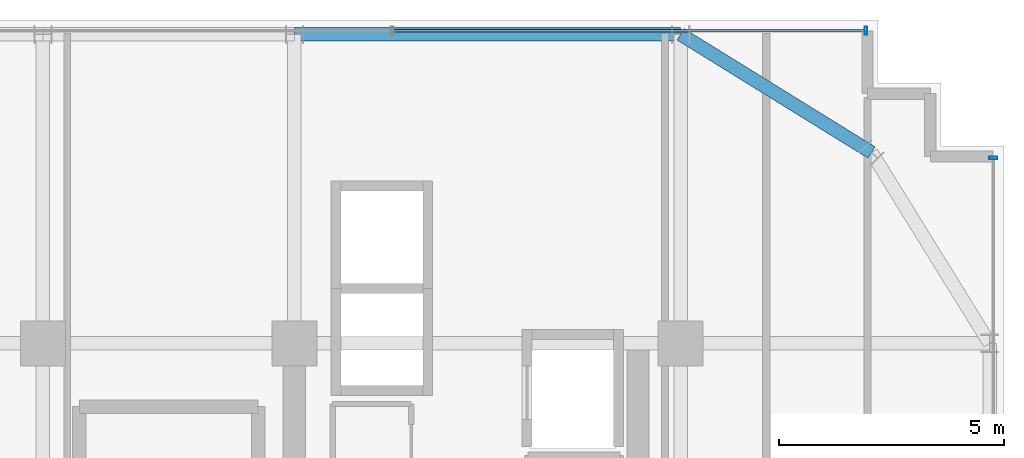
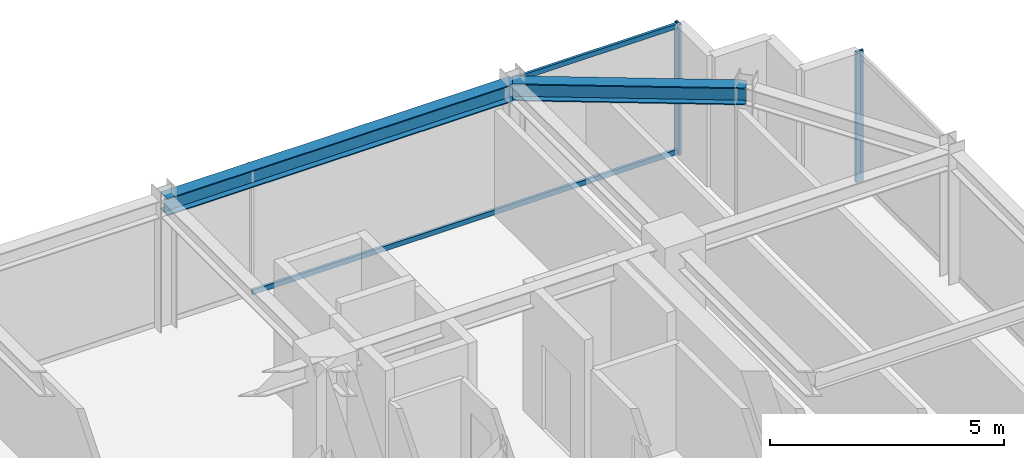
# One storey, part 24 of 32: 4 members, 2 beams, 2 elements without a shape of their own.
"""IFC4 building model written with IfcOpenShell, lengths in metres."""

from ifc_helpers import new_model, si_unit, direction, frame, origin, origin_2d, place, context, subcontext, project, spatial, hollow_rectangle, i_section, extrude, source, transform, mapped, material, material_profile, profile_set, type_object, element, aggregate, save


model = new_model("IFC4")

# Units and contexts
model_context = context("Model", 3, precision=1e-05, world=origin(), true_north=direction((0.0, 1.0)))
body_context = subcontext(model_context, "Body", "Model", "MODEL_VIEW")
ifc_project = project(units=[si_unit("LENGTHUNIT", "METRE"), si_unit("AREAUNIT", "SQUARE_METRE"), si_unit("VOLUMEUNIT", "CUBIC_METRE"), si_unit("PLANEANGLEUNIT", "RADIAN"), si_unit("MASSUNIT", "GRAM", prefix="KILO")], contexts=[model_context])

# Site, building, storey
site_placement = place(None, origin())
site = spatial("IfcSite", under=ifc_project, at=site_placement, CompositionType="ELEMENT")
building_placement = place(site_placement, origin())
building = spatial("IfcBuilding", under=site, at=building_placement, Name="Nahalor Promenade Grand Hotel", CompositionType="ELEMENT")
storey_placement = place(building_placement, frame((0.0, 0.0, 230.800048828125)))
storey = spatial("IfcBuildingStorey", under=building, at=storey_placement, Name="L59", CompositionType="ELEMENT", Elevation=230.800048828125)

# Beams
ifc_material_1 = material(Name="Steel S355JR", Category="steel")
ifc_material_profile_1 = material_profile(ifc_material_1, i_section(OverallWidth=0.3, OverallDepth=0.45, WebThickness=0.014, FlangeThickness=0.026, at=origin_2d()), Name="HEB 450")
ifc_profile_set_1 = profile_set([ifc_material_profile_1], Name="Steel S355JR")
beam_type = type_object("IfcBeamType", Name="Beam-Spandrel-HEB450", PredefinedType="SPANDREL", material=ifc_profile_set_1)
shared_shape_1 = source(origin(), body_context, "Body", "SweptSolid", [
    extrude(i_section(OverallWidth=0.3, OverallDepth=0.45, WebThickness=0.014, FlangeThickness=0.026, at=origin_2d()), origin(), (0.0, 0.0, 1.0), 8.60009765625),
])
beam_1_placement = place(storey_placement, frame((8.39990234375, 23.8798828125, 3.18505859375), z_axis=(1.0, 0.0, 0.0), x_axis=(0.0, 1.0, 0.0)))
element("IfcBeam", 1, at=beam_1_placement, inside=storey, type_object=beam_type, Name="BM-L59-SP-N-4", PredefinedType="SPANDREL", context=body_context, shape_type="MappedRepresentation", body=[
    mapped(shared_shape_1, transform((0.0, 0.0, 0.0), scale=1.0)),
])
shared_shape_2 = source(origin(), body_context, "Body", "SweptSolid", [
    extrude(i_section(OverallWidth=0.3, OverallDepth=0.45, WebThickness=0.014, FlangeThickness=0.026, at=origin_2d()), origin(), (0.0, 0.0, 1.0), 4.997802734375),
])
beam_2_placement = place(storey_placement, frame((17.0, 23.8798828125, 3.18505859375), z_axis=(0.850360908404, -0.526199891161, 0.0), x_axis=(0.526199891161, 0.850360908404, 0.0)))
element("IfcBeam", 2, at=beam_2_placement, inside=storey, type_object=beam_type, Name="BM-L59-SPC-NE-1", PredefinedType="SPANDREL", context=body_context, shape_type="MappedRepresentation", body=[
    mapped(shared_shape_2, transform((0.0, 0.0, 0.0), scale=1.0)),
])

# Curtain wall, members
ifc_material_2 = material(Name="Anodised Bronze Aluminium EN AW-6063 T6", Category="aluminium")
curtain_wall_type = type_object("IfcCurtainWallType", Name="CW2 Typical Hotel Flush Bronze Unitised Curtain Wall", PredefinedType="USERDEFINED", material=ifc_material_2)
curtain_wall_1_placement = place(storey_placement, origin())
curtain_wall_1 = element("IfcCurtainWall", 3, at=curtain_wall_1_placement, inside=storey, type_object=curtain_wall_type, Name="L59 Curtain Wall CW-L59-N-1", ObjectType="UNITISED_CURTAIN_WALL", PredefinedType="USERDEFINED")
ifc_material_profile_2 = material_profile(ifc_material_2, hollow_rectangle(XDim=0.065, YDim=0.13, WallThickness=0.004, at=origin_2d()), Name="CWT 65x130x4")
ifc_profile_set_2 = profile_set([ifc_material_profile_2], Name="Anodised Bronze Aluminium EN AW-6063 T6")
member_type_1 = type_object("IfcMemberType", Name="CWT2 Typical Bronze Transom 65x130", PredefinedType="USERDEFINED", material=ifc_profile_set_2)
shared_shape_3 = source(origin(), body_context, "Body", "SweptSolid", [
    extrude(hollow_rectangle(XDim=0.065, YDim=0.13, WallThickness=0.004, at=origin_2d()), origin(), (0.0, 0.0, 1.0), 10.482421875),
])
member_1_placement = place(storey_placement, frame((10.612548828125, 23.9599609375, 0.06494140625), z_axis=(1.0, 0.0, 0.0), x_axis=(0.0, 1.0, 0.0)))
member_1 = element("IfcMember", 4, at=member_1_placement, type_object=member_type_1, Name="CW-L59-N-1 Transom 3-0", ObjectType="TRANSOM", PredefinedType="USERDEFINED", context=body_context, shape_type="MappedRepresentation", body=[
    mapped(shared_shape_3, transform((0.0, 0.0, 0.0), scale=1.0)),
])
member_2_placement = place(storey_placement, frame((10.612548828125, 23.9599609375, 3.344970703125), z_axis=(1.0, 0.0, 0.0), x_axis=(0.0, 1.0, 0.0)))
member_2 = element("IfcMember", 5, at=member_2_placement, type_object=member_type_1, Name="CW-L59-N-1 Transom 3-1", ObjectType="TRANSOM", PredefinedType="USERDEFINED", context=body_context, shape_type="MappedRepresentation", body=[
    mapped(shared_shape_3, transform((0.0, 0.0, 0.0), scale=1.0)),
])
ifc_material_profile_3 = material_profile(ifc_material_2, hollow_rectangle(XDim=0.065, YDim=0.18, WallThickness=0.004, at=origin_2d()), Name="CWM 65x180x4")
ifc_profile_set_3 = profile_set([ifc_material_profile_3], Name="Anodised Bronze Aluminium EN AW-6063 T6")
member_type_2 = type_object("IfcMemberType", Name="CWM2 Typical Bronze Mullion 65x180", PredefinedType="MULLION", material=ifc_profile_set_3)
shared_shape_4 = source(origin(), body_context, "Body", "SweptSolid", [
    extrude(hollow_rectangle(XDim=0.065, YDim=0.18, WallThickness=0.004, at=origin_2d()), origin(), (0.0, 0.0, 1.0), 3.409912109375),
])
member_3_placement = place(storey_placement, frame((21.12744140625, 23.9599609375, 0.0), z_axis=(0.0, 0.0, 1.0), x_axis=(1.0, 0.0, 0.0)))
member_3 = element("IfcMember", 6, at=member_3_placement, type_object=member_type_2, Name="CW-L59-N-1 Mullion 4", PredefinedType="MULLION", context=body_context, shape_type="MappedRepresentation", body=[
    mapped(shared_shape_4, transform((0.0, 0.0, 0.0), scale=1.0)),
])
aggregate(curtain_wall_1, [member_3, member_1, member_2])

# Curtain wall, member
curtain_wall_2_placement = place(storey_placement, origin())
curtain_wall_2 = element("IfcCurtainWall", 7, at=curtain_wall_2_placement, inside=storey, type_object=curtain_wall_type, Name="L59 Curtain Wall CW-L59-E-1", ObjectType="UNITISED_CURTAIN_WALL", PredefinedType="USERDEFINED")
member_4_placement = place(storey_placement, frame((23.9599609375, 21.12744140625, 0.0), z_axis=(0.0, 0.0, 1.0), x_axis=(0.0, 1.0, 0.0)))
member_4 = element("IfcMember", 8, at=member_4_placement, type_object=member_type_2, Name="CW-L59-E-1 Mullion 4", PredefinedType="MULLION", context=body_context, shape_type="MappedRepresentation", body=[
    mapped(shared_shape_4, transform((0.0, 0.0, 0.0), scale=1.0)),
])
aggregate(curtain_wall_2, [member_4])

save(model, "model.ifc")
